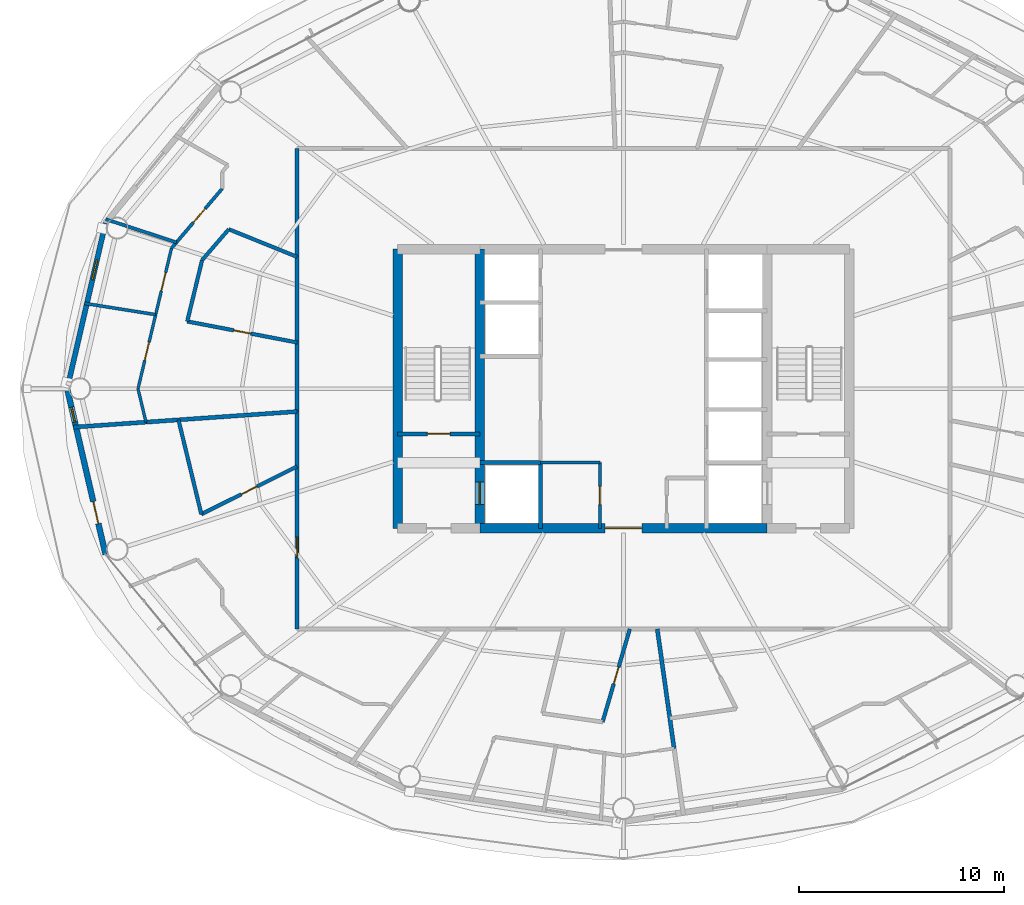
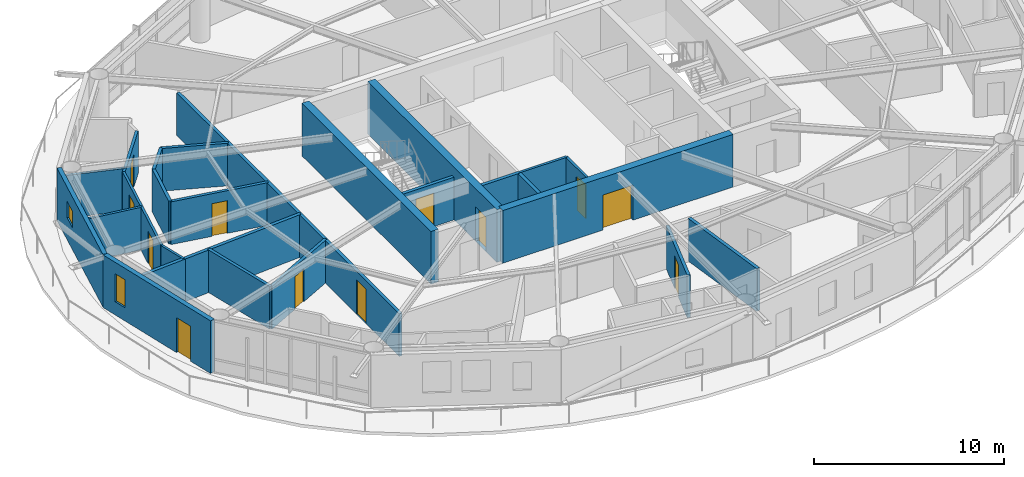
# One storey, part 21 of 30: 27 walls, 12 doors, 2 windows, 14 openings.
"""IFC4 building model written with IfcOpenShell, lengths in metres."""

from ifc_helpers import new_model, si_unit, direction, frame, frame_2d, origin, place, context, subcontext, project, spatial, rectangle, extrude, material, layer, layer_set, type_object, element, fill, save


model = new_model("IFC4")

# Units and contexts
model_context = context("Model", 3, precision=1e-05, world=origin(), true_north=direction((0.0, 1.0)))
body_context = subcontext(model_context, "Body", "Model", "MODEL_VIEW")
ifc_project = project(units=[si_unit("LENGTHUNIT", "METRE"), si_unit("AREAUNIT", "SQUARE_METRE"), si_unit("VOLUMEUNIT", "CUBIC_METRE"), si_unit("PLANEANGLEUNIT", "RADIAN"), si_unit("MASSUNIT", "GRAM", prefix="KILO")], contexts=[model_context])

# Site, building, storey
site_placement = place(None, origin())
site = spatial("IfcSite", under=ifc_project, at=site_placement, CompositionType="ELEMENT")
building_placement = place(site_placement, origin())
building = spatial("IfcBuilding", under=site, at=building_placement, Name="Sarneth Arch Tower", CompositionType="ELEMENT")
storey_placement = place(building_placement, frame((0.0, 0.0, 161.39990234375)))
storey = spatial("IfcBuildingStorey", under=building, at=storey_placement, Name="L40", CompositionType="ELEMENT", Elevation=161.39990234375)

# Wall, opening, door
ifc_material_1 = material(Name="Concrete C50/60", Category="concrete")
ifc_layer_1 = layer(ifc_material_1, 0.449951171875)
ifc_layer_set_1 = layer_set([ifc_layer_1], Name="Concrete C50/60")
wall_type_1 = type_object("IfcWallType", Name="WALL-CORE-450", PredefinedType="SHEAR", material=ifc_layer_set_1)
wall_1_placement = place(storey_placement, frame((41.0, 35.199951171875, 0.0), z_axis=(0.0, 0.0, 1.0), x_axis=(1.0, 0.0, 0.0)))
wall_1 = element("IfcWall", 1, at=wall_1_placement, inside=storey, type_object=wall_type_1, Name="L40 Core shear wall S-M", PredefinedType="SHEAR", context=body_context, shape_type="SweptSolid", body=[
    extrude(rectangle(XDim=14.0, YDim=0.449951171875, at=frame_2d((7.0, 0.0))), origin(), (0.0, 0.0, 1.0), 3.380126953125),
])
opening_1_placement = place(wall_1_placement, frame((6.10009765625, 0.0, 0.0)))
opening_1 = element("IfcOpeningElement", 2, at=opening_1_placement, cuts=wall_1, Name="Opening FD-01", PredefinedType="OPENING", context=body_context, shape_type="SweptSolid", body=[
    extrude(rectangle(XDim=1.800048828125, YDim=2.25, at=frame_2d((0.89990234375, 1.125))), frame((0.0, 0.23486328125, 0.0), z_axis=(0.0, -1.0, 0.0), x_axis=(1.0, 0.0, 0.0)), (0.0, 0.0, 1.0), 0.469970703125),
])
ifc_material_2 = material(Name="Galvanised Steel S275 fire door set", Category="steel")
door_type_1 = type_object("IfcDoorType", Name="DR-FD90-1800", OperationType="DOUBLE_DOOR_SINGLE_SWING", PredefinedType="DOOR", material=ifc_material_2)
door_1_placement = place(opening_1_placement, origin())
door_1 = element("IfcDoor", 3, at=door_1_placement, inside=storey, type_object=door_type_1, Name="L40 Central lift lobby south door", OperationType="DOUBLE_DOOR_SINGLE_SWING", OverallHeight=2.25, OverallWidth=1.800048828125, PredefinedType="DOOR", context=body_context, shape_type="SweptSolid", body=[
    extrude(rectangle(XDim=1.800048828125, YDim=2.25, at=frame_2d((0.89990234375, 1.125))), frame((0.0, 0.02490234375, 0.0), z_axis=(0.0, -1.0, 0.0), x_axis=(1.0, 0.0, 0.0)), (0.0, 0.0, 1.0), 0.050048828125),
])
fill(opening_1, door_1)

# Wall
wall_2_placement = place(storey_placement, frame((37.0, 35.199951171875, 0.0), z_axis=(0.0, 0.0, 1.0), x_axis=(0.0, 1.0, 0.0)))
element("IfcWall", 4, at=wall_2_placement, inside=storey, type_object=wall_type_1, Name="L40 Core shear wall W", PredefinedType="SHEAR", context=body_context, shape_type="SweptSolid", body=[
    extrude(rectangle(XDim=13.60009765625, YDim=0.449951171875, at=frame_2d((6.800048828125, 0.0))), origin(), (0.0, 0.0, 1.0), 3.380126953125),
])

# Wall, opening, door
wall_3_placement = place(storey_placement, frame((41.0, 35.199951171875, 0.0), z_axis=(0.0, 0.0, 1.0), x_axis=(0.0, 1.0, 0.0)))
wall_3 = element("IfcWall", 5, at=wall_3_placement, inside=storey, type_object=wall_type_1, Name="L40 Core shear wall WEB-W", PredefinedType="SHEAR", context=body_context, shape_type="SweptSolid", body=[
    extrude(rectangle(XDim=13.60009765625, YDim=0.449951171875, at=frame_2d((6.800048828125, 0.0))), origin(), (0.0, 0.0, 1.0), 3.380126953125),
])
opening_2_placement = place(wall_3_placement, frame((1.14990234375, 0.0, 0.0)))
opening_2 = element("IfcOpeningElement", 6, at=opening_2_placement, cuts=wall_3, Name="Opening LD-1", PredefinedType="OPENING", context=body_context, shape_type="SweptSolid", body=[
    extrude(rectangle(XDim=1.10009765625, YDim=2.199951171875, at=frame_2d((0.550048828125, 1.10009765625))), frame((0.0, 0.23486328125, 0.0), z_axis=(0.0, -1.0, 0.0), x_axis=(1.0, 0.0, 0.0)), (0.0, 0.0, 1.0), 0.469970703125),
])
ifc_material_3 = material(Name="Brushed Stainless Steel 304 lift landing door", Category="steel")
door_type_2 = type_object("IfcDoorType", Name="DR-LIFT-SLIDE-1100", OperationType="SLIDING_TO_LEFT", PredefinedType="DOOR", material=ifc_material_3)
door_2_placement = place(opening_2_placement, origin())
door_2 = element("IfcDoor", 7, at=door_2_placement, inside=storey, type_object=door_type_2, Name="L40 Firefighting lift landing door FL-1", OperationType="SLIDING_TO_LEFT", OverallHeight=2.199951171875, OverallWidth=1.10009765625, PredefinedType="DOOR", context=body_context, shape_type="SweptSolid", body=[
    extrude(rectangle(XDim=1.10009765625, YDim=2.199951171875, at=frame_2d((0.550048828125, 1.10009765625))), frame((0.0, 0.02490234375, 0.0), z_axis=(0.0, -1.0, 0.0), x_axis=(1.0, 0.0, 0.0)), (0.0, 0.0, 1.0), 0.050048828125),
])
fill(opening_2, door_2)

ifc_material_4 = material(Name="Double steel-stud corridor fire wall", Category="steel")
ifc_layer_2 = layer(ifc_material_4, 0.18994140625)
ifc_layer_set_2 = layer_set([ifc_layer_2], Name="Double steel-stud corridor fire wall")
wall_type_2 = type_object("IfcWallType", Name="WALL-CORR-190", PredefinedType="PARTITIONING", material=ifc_layer_set_2)
wall_4_placement = place(storey_placement, frame((32.10009765625, 30.300048828125, 0.0), z_axis=(0.0, 0.0, 1.0), x_axis=(0.0, 1.0, 0.0)))
wall_4 = element("IfcWall", 8, at=wall_4_placement, inside=storey, type_object=wall_type_2, Name="L40 Interior partition W-L40-TP-012", PredefinedType="PARTITIONING", context=body_context, shape_type="SweptSolid", body=[
    extrude(rectangle(XDim=10.620361328125, YDim=0.18994140625, at=frame_2d((5.31005859375, 0.0))), origin(), (0.0, 0.0, 1.0), 2.739990234375),
])
opening_3_placement = place(wall_4_placement, frame((3.474853515625, 0.0, 0.0)))
opening_3 = element("IfcOpeningElement", 9, at=opening_3_placement, cuts=wall_4, Name="Opening FD-08", PredefinedType="OPENING", context=body_context, shape_type="SweptSolid", body=[
    extrude(rectangle(XDim=1.0, YDim=2.199951171875, at=frame_2d((0.5, 1.10009765625))), frame((0.0, 0.10498046875, 0.0), z_axis=(0.0, -1.0, 0.0), x_axis=(1.0, 0.0, 0.0)), (0.0, 0.0, 1.0), 0.2099609375),
])
ifc_material_5 = material(Name="Hardwood timber acoustic fire door", Category="wood")
door_type_3 = type_object("IfcDoorType", Name="DR-FD60-1000", OperationType="SINGLE_SWING_LEFT", PredefinedType="DOOR", material=ifc_material_5)
door_3_placement = place(opening_3_placement, origin())
door_3 = element("IfcDoor", 10, at=door_3_placement, inside=storey, type_object=door_type_3, Name="L40 Interior door DR-L40-U5-ENT", OperationType="SINGLE_SWING_LEFT", OverallHeight=2.199951171875, OverallWidth=1.0, PredefinedType="DOOR", context=body_context, shape_type="SweptSolid", body=[
    extrude(rectangle(XDim=1.0, YDim=2.199951171875, at=frame_2d((0.5, 1.10009765625))), frame((0.0, 0.02490234375, 0.0), z_axis=(0.0, -1.0, 0.0), x_axis=(1.0, 0.0, 0.0)), (0.0, 0.0, 1.0), 0.050048828125),
])
fill(opening_3, door_3)

# Wall
wall_5_placement = place(storey_placement, frame((32.10009765625, 40.856201171875, 0.0), z_axis=(0.0, 0.0, 1.0), x_axis=(0.0, 1.0, 0.0)))
element("IfcWall", 11, at=wall_5_placement, inside=storey, type_object=wall_type_2, Name="L40 Interior partition W-L40-TP-008", PredefinedType="PARTITIONING", context=body_context, shape_type="SweptSolid", body=[
    extrude(rectangle(XDim=12.84375, YDim=0.18994140625, at=frame_2d((6.421875, 0.0))), origin(), (0.0, 0.0, 1.0), 2.739990234375),
])

# Wall, opening, window
ifc_material_6 = material(Name="Extruded terracotta rainscreen on Concrete C40/50 backing", Category="masonry")
ifc_layer_3 = layer(ifc_material_6, 0.25)
ifc_layer_set_3 = layer_set([ifc_layer_3], Name="Extruded terracotta rainscreen on Concrete C40/50 backing")
wall_type_3 = type_object("IfcWallType", Name="WALL-EXT-SPAND-250", PredefinedType="SOLIDWALL", material=ifc_layer_set_3)
wall_6_placement = place(storey_placement, frame((22.767578125, 50.06689453125, 0.0), z_axis=(0.0, 0.0, 1.0), x_axis=(-0.225473184558, -0.974249374157, 0.0)))
wall_6 = element("IfcWall", 12, at=wall_6_placement, inside=storey, type_object=wall_type_3, Name="L40 Terracotta perimeter wall 08", PredefinedType="SOLIDWALL", context=body_context, shape_type="SweptSolid", body=[
    extrude(rectangle(XDim=8.280029296875, YDim=0.25, at=frame_2d((4.14013671875, 0.0))), origin(), (0.0, 0.0, 1.0), 3.380126953125),
])
opening_4_placement = place(wall_6_placement, frame((1.844482421875, 0.0, 1.419921875)))
opening_4 = element("IfcOpeningElement", 13, at=opening_4_placement, cuts=wall_6, Name="Opening W-14", PredefinedType="OPENING", context=body_context, shape_type="SweptSolid", body=[
    extrude(rectangle(XDim=1.0, YDim=1.050048828125, at=frame_2d((0.5, 0.52490234375))), frame((0.0, 0.135009765625, 0.0), z_axis=(0.0, -1.0, 0.0), x_axis=(1.0, 0.0, 0.0)), (0.0, 0.0, 1.0), 0.27001953125),
])
ifc_material_7 = material(Name="Thermally broken Aluminium 6063-T6 and low-e laminated IGU", Category="aluminium")
window_type_1 = type_object("IfcWindowType", Name="WIN-TWR-1000x1050", PartitioningType="SINGLE_PANEL", PredefinedType="WINDOW", material=ifc_material_7)
window_1_placement = place(opening_4_placement, origin())
window_1 = element("IfcWindow", 14, at=window_1_placement, inside=storey, type_object=window_type_1, Name="L40 Dwelling bedroom window 03", OverallHeight=1.050048828125, OverallWidth=1.0, PartitioningType="SINGLE_PANEL", PredefinedType="WINDOW", context=body_context, shape_type="SweptSolid", body=[
    extrude(rectangle(XDim=1.0, YDim=1.050048828125, at=frame_2d((0.5, 0.52490234375))), frame((0.0, 0.030029296875, 0.0), z_axis=(0.0, -1.0, 0.0), x_axis=(1.0, 0.0, 0.0)), (0.0, 0.0, 1.0), 0.06005859375),
])
fill(opening_4, window_1)

# Wall, openings, door, window
ifc_material_8 = material(Name="Extruded terracotta rainscreen on Concrete C40/50 backing", Category="masonry")
ifc_layer_4 = layer(ifc_material_8, 0.280029296875)
ifc_layer_set_4 = layer_set([ifc_layer_4], Name="Extruded terracotta rainscreen on Concrete C40/50 backing")
wall_type_4 = type_object("IfcWallType", Name="WALL-EXT-TERRA-280", PredefinedType="SOLIDWALL", material=ifc_layer_set_4)
wall_7_placement = place(storey_placement, frame((20.900634765625, 42.0, 0.0), z_axis=(0.0, 0.0, 1.0), x_axis=(0.225473184558, -0.974249374157, 0.0)))
wall_7 = element("IfcWall", 15, at=wall_7_placement, inside=storey, type_object=wall_type_4, Name="L40 Terracotta perimeter wall 09", PredefinedType="SOLIDWALL", context=body_context, shape_type="SweptSolid", body=[
    extrude(rectangle(XDim=8.280029296875, YDim=0.280029296875, at=frame_2d((4.14013671875, 0.0))), origin(), (0.0, 0.0, 1.0), 3.380126953125),
])
opening_5_placement = place(wall_7_placement, frame((5.643798828125, 0.0, 0.0)))
opening_5 = element("IfcOpeningElement", 16, at=opening_5_placement, cuts=wall_7, Name="Opening BD-3", PredefinedType="OPENING", context=body_context, shape_type="SweptSolid", body=[
    extrude(rectangle(XDim=1.10009765625, YDim=2.25, at=frame_2d((0.550048828125, 1.125))), frame((0.0, 0.14990234375, 0.0), z_axis=(0.0, -1.0, 0.0), x_axis=(1.0, 0.0, 0.0)), (0.0, 0.0, 1.0), 0.300048828125),
])
opening_6_placement = place(wall_7_placement, frame((0.918212890625, 0.0, 0.85009765625)))
opening_6 = element("IfcOpeningElement", 17, at=opening_6_placement, cuts=wall_7, Name="Opening W-13", PredefinedType="OPENING", context=body_context, shape_type="SweptSolid", body=[
    extrude(rectangle(XDim=0.75, YDim=1.800048828125, at=frame_2d((0.375, 0.89990234375))), frame((0.0, 0.14990234375, 0.0), z_axis=(0.0, -1.0, 0.0), x_axis=(1.0, 0.0, 0.0)), (0.0, 0.0, 1.0), 0.300048828125),
])
ifc_material_9 = material(Name="Thermally broken Aluminium 6063-T6 and laminated safety glass", Category="aluminium")
door_type_4 = type_object("IfcDoorType", Name="DR-BALC-GLZ-1100", OperationType="SINGLE_SWING_LEFT", PredefinedType="DOOR", material=ifc_material_9)
door_4_placement = place(opening_5_placement, origin())
door_4 = element("IfcDoor", 18, at=door_4_placement, inside=storey, type_object=door_type_4, Name="L40 Balcony glazed door 09", OperationType="SINGLE_SWING_LEFT", OverallHeight=2.25, OverallWidth=1.10009765625, PredefinedType="DOOR", context=body_context, shape_type="SweptSolid", body=[
    extrude(rectangle(XDim=1.10009765625, YDim=2.25, at=frame_2d((0.550048828125, 1.125))), frame((0.0, 0.02490234375, 0.0), z_axis=(0.0, -1.0, 0.0), x_axis=(1.0, 0.0, 0.0)), (0.0, 0.0, 1.0), 0.050048828125),
])
fill(opening_5, door_4)
ifc_material_10 = material(Name="Thermally broken Aluminium 6063-T6 and low-e laminated IGU", Category="aluminium")
window_type_2 = type_object("IfcWindowType", Name="WIN-TWR-750x1800", PartitioningType="SINGLE_PANEL", PredefinedType="WINDOW", material=ifc_material_10)
window_2_placement = place(opening_6_placement, origin())
window_2 = element("IfcWindow", 19, at=window_2_placement, inside=storey, type_object=window_type_2, Name="L40 Dwelling bedroom window 04", OverallHeight=1.800048828125, OverallWidth=0.75, PartitioningType="SINGLE_PANEL", PredefinedType="WINDOW", context=body_context, shape_type="SweptSolid", body=[
    extrude(rectangle(XDim=0.75, YDim=1.800048828125, at=frame_2d((0.375, 0.89990234375))), frame((0.0, 0.030029296875, 0.0), z_axis=(0.0, -1.0, 0.0), x_axis=(1.0, 0.0, 0.0)), (0.0, 0.0, 1.0), 0.06005859375),
])
fill(opening_6, window_2)

# Wall, openings, doors
ifc_material_11 = material(Name="Apartment internal stud partition", Category="gypsum")
ifc_layer_5 = layer(ifc_material_11, 0.139892578125)
ifc_layer_set_5 = layer_set([ifc_layer_5], Name="Apartment internal stud partition")
wall_type_5 = type_object("IfcWallType", Name="WALL-PART-140", PredefinedType="PARTITIONING", material=ifc_layer_set_5)
wall_8_placement = place(storey_placement, frame((24.351318359375, 42.0, 0.0), z_axis=(0.0, 0.0, 1.0), x_axis=(0.231625219966, 0.972805097373, 0.0)))
wall_8 = element("IfcWall", 20, at=wall_8_placement, inside=storey, type_object=wall_type_5, Name="L40 Interior partition W-L40-TP-064", PredefinedType="PARTITIONING", context=body_context, shape_type="SweptSolid", body=[
    extrude(rectangle(XDim=7.033447265625, YDim=0.139892578125, at=frame_2d((3.5166015625, 0.0))), origin(), (0.0, 0.0, 1.0), 2.739990234375),
])
opening_7_placement = place(wall_8_placement, frame((1.421142578125, 0.0, 0.0)))
opening_7 = element("IfcOpeningElement", 21, at=opening_7_placement, cuts=wall_8, Name="Opening ID-01", PredefinedType="OPENING", context=body_context, shape_type="SweptSolid", body=[
    extrude(rectangle(XDim=0.89990234375, YDim=2.10009765625, at=frame_2d((0.449951171875, 1.050048828125))), frame((0.0, 0.079833984375, 0.0), z_axis=(0.0, -1.0, 0.0), x_axis=(1.0, 0.0, 0.0)), (0.0, 0.0, 1.0), 0.159912109375),
])
opening_8_placement = place(wall_8_placement, frame((4.906005859375, 0.0, 0.0)))
opening_8 = element("IfcOpeningElement", 22, at=opening_8_placement, cuts=wall_8, Name="Opening ID-01", PredefinedType="OPENING", context=body_context, shape_type="SweptSolid", body=[
    extrude(rectangle(XDim=0.89990234375, YDim=2.10009765625, at=frame_2d((0.449951171875, 1.050048828125))), frame((0.0, 0.079833984375, 0.0), z_axis=(0.0, -1.0, 0.0), x_axis=(1.0, 0.0, 0.0)), (0.0, 0.0, 1.0), 0.159912109375),
])
ifc_material_12 = material(Name="Engineered hardwood flush door", Category="wood")
door_type_5 = type_object("IfcDoorType", Name="DR-INT-900", OperationType="SINGLE_SWING_LEFT", PredefinedType="DOOR", material=ifc_material_12)
door_5_placement = place(opening_7_placement, origin())
door_5 = element("IfcDoor", 23, at=door_5_placement, inside=storey, type_object=door_type_5, Name="L40 Interior door DR-L40-U4-BED2", OperationType="SINGLE_SWING_LEFT", OverallHeight=2.10009765625, OverallWidth=0.89990234375, PredefinedType="DOOR", context=body_context, shape_type="SweptSolid", body=[
    extrude(rectangle(XDim=0.89990234375, YDim=2.10009765625, at=frame_2d((0.449951171875, 1.050048828125))), frame((0.0, 0.02490234375, 0.0), z_axis=(0.0, -1.0, 0.0), x_axis=(1.0, 0.0, 0.0)), (0.0, 0.0, 1.0), 0.050048828125),
])
fill(opening_7, door_5)
door_6_placement = place(opening_8_placement, origin())
door_6 = element("IfcDoor", 24, at=door_6_placement, inside=storey, type_object=door_type_5, Name="L40 Interior door DR-L40-U4-BED1", OperationType="SINGLE_SWING_LEFT", OverallHeight=2.10009765625, OverallWidth=0.89990234375, PredefinedType="DOOR", context=body_context, shape_type="SweptSolid", body=[
    extrude(rectangle(XDim=0.89990234375, YDim=2.10009765625, at=frame_2d((0.449951171875, 1.050048828125))), frame((0.0, 0.02490234375, 0.0), z_axis=(0.0, -1.0, 0.0), x_axis=(1.0, 0.0, 0.0)), (0.0, 0.0, 1.0), 0.050048828125),
])
fill(opening_8, door_6)

# Walls
wall_9_placement = place(storey_placement, frame((24.738525390625, 40.373291015625, 0.0), z_axis=(0.0, 0.0, 1.0), x_axis=(-0.231561310927, 0.972820311919, 0.0)))
element("IfcWall", 25, at=wall_9_placement, inside=storey, type_object=wall_type_5, Name="L40 Interior partition W-L40-TP-063", PredefinedType="PARTITIONING", context=body_context, shape_type="SweptSolid", body=[
    extrude(rectangle(XDim=1.672119140625, YDim=0.139892578125, at=frame_2d((0.8359375, 0.0))), origin(), (0.0, 0.0, 1.0), 2.739990234375),
])
ifc_material_13 = material(Name="Acoustic gypsum stud partition", Category="gypsum")
ifc_layer_6 = layer(ifc_material_13, 0.14990234375)
ifc_layer_set_6 = layer_set([ifc_layer_6], Name="Acoustic gypsum stud partition")
wall_type_6 = type_object("IfcWallType", Name="WALL-PART-150", PredefinedType="PARTITIONING", material=ifc_layer_set_6)
wall_10_placement = place(storey_placement, frame((43.949951171875, 38.39990234375, 0.0), z_axis=(0.0, 0.0, 1.0), x_axis=(1.0, 0.0, 0.0)))
element("IfcWall", 26, at=wall_10_placement, inside=storey, type_object=wall_type_6, Name="L40 Interior partition W-L40-CSUP1-N", PredefinedType="PARTITIONING", context=body_context, shape_type="SweptSolid", body=[
    extrude(rectangle(XDim=2.900146484375, YDim=0.14990234375, at=frame_2d((1.4501953125, 0.0))), origin(), (0.0, 0.0, 1.0), 2.739990234375),
])

# Wall, opening, door
wall_11_placement = place(storey_placement, frame((46.85009765625, 35.199951171875, 0.0), z_axis=(0.0, 0.0, 1.0), x_axis=(0.0, 1.0, 0.0)))
wall_11 = element("IfcWall", 27, at=wall_11_placement, inside=storey, type_object=wall_type_6, Name="L40 Interior partition W-L40-CSUP1-E", PredefinedType="PARTITIONING", context=body_context, shape_type="SweptSolid", body=[
    extrude(rectangle(XDim=3.199951171875, YDim=0.14990234375, at=frame_2d((1.60009765625, 0.0))), origin(), (0.0, 0.0, 1.0), 2.739990234375),
])
opening_9_placement = place(wall_11_placement, frame((1.14990234375, 0.0, 0.0)))
opening_9 = element("IfcOpeningElement", 28, at=opening_9_placement, cuts=wall_11, Name="Opening FD-10", PredefinedType="OPENING", context=body_context, shape_type="SweptSolid", body=[
    extrude(rectangle(XDim=0.89990234375, YDim=2.14990234375, at=frame_2d((0.449951171875, 1.074951171875))), frame((0.0, 0.0849609375, 0.0), z_axis=(0.0, -1.0, 0.0), x_axis=(1.0, 0.0, 0.0)), (0.0, 0.0, 1.0), 0.169921875),
])
ifc_material_14 = material(Name="Galvanised Steel S275 riser/service fire door", Category="steel")
door_type_6 = type_object("IfcDoorType", Name="DR-FD60-900", OperationType="SINGLE_SWING_LEFT", PredefinedType="DOOR", material=ifc_material_14)
door_7_placement = place(opening_9_placement, origin())
door_7 = element("IfcDoor", 29, at=door_7_placement, inside=storey, type_object=door_type_6, Name="L40 Interior door DR-L40-CSUP1", OperationType="SINGLE_SWING_LEFT", OverallHeight=2.14990234375, OverallWidth=0.89990234375, PredefinedType="DOOR", context=body_context, shape_type="SweptSolid", body=[
    extrude(rectangle(XDim=0.89990234375, YDim=2.14990234375, at=frame_2d((0.449951171875, 1.074951171875))), frame((0.0, 0.02490234375, 0.0), z_axis=(0.0, -1.0, 0.0), x_axis=(1.0, 0.0, 0.0)), (0.0, 0.0, 1.0), 0.050048828125),
])
fill(opening_9, door_7)

# Walls
wall_12_placement = place(storey_placement, frame((25.210693359375, 45.609619140625, 0.0), z_axis=(0.0, 0.0, 1.0), x_axis=(-0.987691308322, 0.156415726399, 0.0)))
element("IfcWall", 30, at=wall_12_placement, inside=storey, type_object=wall_type_6, Name="L40 Interior partition W-L40-TP-068", PredefinedType="PARTITIONING", context=body_context, shape_type="SweptSolid", body=[
    extrude(rectangle(XDim=3.513427734375, YDim=0.14990234375, at=frame_2d((1.7568359375, 0.0))), origin(), (0.0, 0.0, 1.0), 2.739990234375),
])
ifc_material_15 = material(Name="Kitchen wet service chase wall", Category="gypsum")
ifc_layer_7 = layer(ifc_material_15, 0.159912109375)
ifc_layer_set_7 = layer_set([ifc_layer_7], Name="Kitchen wet service chase wall")
wall_type_7 = type_object("IfcWallType", Name="WALL-PLUMB-160", PredefinedType="PLUMBINGWALL", material=ifc_layer_set_7)
wall_13_placement = place(storey_placement, frame((22.77978515625, 50.256591796875, 0.0), z_axis=(0.0, 0.0, 1.0), x_axis=(0.95036707557, -0.311130875474, 0.0)))
element("IfcWall", 31, at=wall_13_placement, inside=storey, type_object=wall_type_7, Name="L40 Interior partition W-L40-TP-067", PredefinedType="PLUMBINGWALL", context=body_context, shape_type="SweptSolid", body=[
    extrude(rectangle(XDim=3.62451171875, YDim=0.159912109375, at=frame_2d((1.812255859375, 0.0))), origin(), (0.0, 0.0, 1.0), 2.739990234375),
])

# Wall, opening, door
wall_14_placement = place(storey_placement, frame((28.449951171875, 51.744384765625, 0.0), z_axis=(0.0, 0.0, 1.0), x_axis=(-0.648022171798, -0.761621470849, 0.0)))
wall_14 = element("IfcWall", 32, at=wall_14_placement, inside=storey, type_object=wall_type_7, Name="L40 Interior partition W-L40-TP-056", PredefinedType="PLUMBINGWALL", context=body_context, shape_type="SweptSolid", body=[
    extrude(rectangle(XDim=3.810302734375, YDim=0.159912109375, at=frame_2d((1.9052734375, 0.0))), origin(), (0.0, 0.0, 1.0), 2.739990234375),
])
opening_10_placement = place(wall_14_placement, frame((1.26708984375, 0.0, 0.0)))
opening_10 = element("IfcOpeningElement", 33, at=opening_10_placement, cuts=wall_14, Name="Opening ID-01", PredefinedType="OPENING", context=body_context, shape_type="SweptSolid", body=[
    extrude(rectangle(XDim=0.89990234375, YDim=2.10009765625, at=frame_2d((0.449951171875, 1.050048828125))), frame((0.0, 0.08984375, 0.0), z_axis=(0.0, -1.0, 0.0), x_axis=(1.0, 0.0, 0.0)), (0.0, 0.0, 1.0), 0.179931640625),
])
door_8_placement = place(opening_10_placement, origin())
door_8 = element("IfcDoor", 34, at=door_8_placement, inside=storey, type_object=door_type_5, Name="L40 Interior door DR-L40-U4-KIT", OperationType="SINGLE_SWING_LEFT", OverallHeight=2.10009765625, OverallWidth=0.89990234375, PredefinedType="DOOR", context=body_context, shape_type="SweptSolid", body=[
    extrude(rectangle(XDim=0.89990234375, YDim=2.10009765625, at=frame_2d((0.449951171875, 1.050048828125))), frame((0.0, 0.02490234375, 0.0), z_axis=(0.0, -1.0, 0.0), x_axis=(1.0, 0.0, 0.0)), (0.0, 0.0, 1.0), 0.050048828125),
])
fill(opening_10, door_8)

ifc_material_16 = material(Name="Moisture-resistant plumbing chase wall", Category="gypsum")
ifc_layer_8 = layer(ifc_material_16, 0.179931640625)
ifc_layer_set_8 = layer_set([ifc_layer_8], Name="Moisture-resistant plumbing chase wall")
wall_type_8 = type_object("IfcWallType", Name="WALL-PLUMB-180", PredefinedType="PLUMBINGWALL", material=ifc_layer_set_8)
wall_15_placement = place(storey_placement, frame((32.10009765625, 44.253173828125, 0.0), z_axis=(0.0, 0.0, 1.0), x_axis=(-0.982102846986, 0.188345421878, 0.0)))
wall_15 = element("IfcWall", 35, at=wall_15_placement, inside=storey, type_object=wall_type_8, Name="L40 Interior partition W-L40-TP-057", PredefinedType="PLUMBINGWALL", context=body_context, shape_type="SweptSolid", body=[
    extrude(rectangle(XDim=5.447998046875, YDim=0.179931640625, at=frame_2d((2.72412109375, 0.0))), origin(), (0.0, 0.0, 1.0), 2.739990234375),
])
opening_11_placement = place(wall_15_placement, frame((2.299072265625, 0.0, 0.0)))
opening_11 = element("IfcOpeningElement", 36, at=opening_11_placement, cuts=wall_15, Name="Opening ID-02", PredefinedType="OPENING", context=body_context, shape_type="SweptSolid", body=[
    extrude(rectangle(XDim=0.85009765625, YDim=2.10009765625, at=frame_2d((0.425048828125, 1.050048828125))), frame((0.0, 0.099853515625, 0.0), z_axis=(0.0, -1.0, 0.0), x_axis=(1.0, 0.0, 0.0)), (0.0, 0.0, 1.0), 0.199951171875),
])
ifc_material_17 = material(Name="Moisture-resistant bathroom timber door", Category="wood")
door_type_7 = type_object("IfcDoorType", Name="DR-INT-850", OperationType="SINGLE_SWING_RIGHT", PredefinedType="DOOR", material=ifc_material_17)
door_9_placement = place(opening_11_placement, origin())
door_9 = element("IfcDoor", 37, at=door_9_placement, inside=storey, type_object=door_type_7, Name="L40 Interior door DR-L40-U4-BATH", OperationType="SINGLE_SWING_LEFT", OverallHeight=2.10009765625, OverallWidth=0.85009765625, PredefinedType="DOOR", context=body_context, shape_type="SweptSolid", body=[
    extrude(rectangle(XDim=0.85009765625, YDim=2.10009765625, at=frame_2d((0.425048828125, 1.050048828125))), frame((0.0, 0.02490234375, 0.0), z_axis=(0.0, -1.0, 0.0), x_axis=(1.0, 0.0, 0.0)), (0.0, 0.0, 1.0), 0.050048828125),
])
fill(opening_11, door_9)

wall_16_placement = place(storey_placement, frame((27.43603515625, 35.887451171875, 0.0), z_axis=(0.0, 0.0, 1.0), x_axis=(0.894857716432, 0.446351506485, 0.0)))
wall_16 = element("IfcWall", 38, at=wall_16_placement, inside=storey, type_object=wall_type_8, Name="L40 Interior partition W-L40-TP-075", PredefinedType="PLUMBINGWALL", context=body_context, shape_type="SweptSolid", body=[
    extrude(rectangle(XDim=5.212158203125, YDim=0.179931640625, at=frame_2d((2.60595703125, 0.0))), origin(), (0.0, 0.0, 1.0), 2.739990234375),
])
opening_12_placement = place(wall_16_placement, frame((2.180908203125, 0.0, 0.0)))
opening_12 = element("IfcOpeningElement", 39, at=opening_12_placement, cuts=wall_16, Name="Opening ID-02", PredefinedType="OPENING", context=body_context, shape_type="SweptSolid", body=[
    extrude(rectangle(XDim=0.85009765625, YDim=2.10009765625, at=frame_2d((0.425048828125, 1.050048828125))), frame((0.0, 0.099853515625, 0.0), z_axis=(0.0, -1.0, 0.0), x_axis=(1.0, 0.0, 0.0)), (0.0, 0.0, 1.0), 0.199951171875),
])
door_10_placement = place(opening_12_placement, origin())
door_10 = element("IfcDoor", 40, at=door_10_placement, inside=storey, type_object=door_type_7, Name="L40 Interior door DR-L40-U5-BATH", OperationType="SINGLE_SWING_RIGHT", OverallHeight=2.10009765625, OverallWidth=0.85009765625, PredefinedType="DOOR", context=body_context, shape_type="SweptSolid", body=[
    extrude(rectangle(XDim=0.85009765625, YDim=2.10009765625, at=frame_2d((0.425048828125, 1.050048828125))), frame((0.0, 0.02490234375, 0.0), z_axis=(0.0, -1.0, 0.0), x_axis=(1.0, 0.0, 0.0)), (0.0, 0.0, 1.0), 0.050048828125),
])
fill(opening_12, door_10)

# Wall
wall_17_placement = place(storey_placement, frame((26.322265625, 40.484130859375, 0.0), z_axis=(0.0, 0.0, 1.0), x_axis=(0.235484788327, -0.971878034769, 0.0)))
element("IfcWall", 41, at=wall_17_placement, inside=storey, type_object=wall_type_8, Name="L40 Interior partition W-L40-TP-074", PredefinedType="PLUMBINGWALL", context=body_context, shape_type="SweptSolid", body=[
    extrude(rectangle(XDim=4.729736328125, YDim=0.179931640625, at=frame_2d((2.36474609375, 0.0))), origin(), (0.0, 0.0, 1.0), 2.739990234375),
])

# Wall, opening, door
wall_18_placement = place(storey_placement, frame((48.307861328125, 30.300048828125, 0.0), z_axis=(0.0, 0.0, 1.0), x_axis=(-0.281192482413, -0.9596513887, 0.0)))
wall_18 = element("IfcWall", 42, at=wall_18_placement, inside=storey, type_object=wall_type_8, Name="L40 Interior partition W-L40-TP-087", PredefinedType="PLUMBINGWALL", context=body_context, shape_type="SweptSolid", body=[
    extrude(rectangle(XDim=4.72412109375, YDim=0.179931640625, at=frame_2d((2.362060546875, 0.0))), origin(), (0.0, 0.0, 1.0), 2.739990234375),
])
opening_13_placement = place(wall_18_placement, frame((1.93701171875, 0.0, 0.0)))
opening_13 = element("IfcOpeningElement", 43, at=opening_13_placement, cuts=wall_18, Name="Opening ID-02", PredefinedType="OPENING", context=body_context, shape_type="SweptSolid", body=[
    extrude(rectangle(XDim=0.85009765625, YDim=2.10009765625, at=frame_2d((0.425048828125, 1.050048828125))), frame((0.0, 0.099853515625, 0.0), z_axis=(0.0, -1.0, 0.0), x_axis=(1.0, 0.0, 0.0)), (0.0, 0.0, 1.0), 0.199951171875),
])
door_11_placement = place(opening_13_placement, origin())
door_11 = element("IfcDoor", 44, at=door_11_placement, inside=storey, type_object=door_type_7, Name="L40 Interior door DR-L40-U6-BATH", OperationType="SINGLE_SWING_LEFT", OverallHeight=2.10009765625, OverallWidth=0.85009765625, PredefinedType="DOOR", context=body_context, shape_type="SweptSolid", body=[
    extrude(rectangle(XDim=0.85009765625, YDim=2.10009765625, at=frame_2d((0.425048828125, 1.050048828125))), frame((0.0, 0.02490234375, 0.0), z_axis=(0.0, -1.0, 0.0), x_axis=(1.0, 0.0, 0.0)), (0.0, 0.0, 1.0), 0.050048828125),
])
fill(opening_13, door_11)

# Walls
wall_19_placement = place(storey_placement, frame((28.772705078125, 49.768310546875, 0.0), z_axis=(0.0, 0.0, 1.0), x_axis=(0.927195040954, -0.374578904945, 0.0)))
element("IfcWall", 45, at=wall_19_placement, inside=storey, type_object=wall_type_8, Name="L40 Interior partition W-L40-TP-060", PredefinedType="PLUMBINGWALL", context=body_context, shape_type="SweptSolid", body=[
    extrude(rectangle(XDim=3.588623046875, YDim=0.179931640625, at=frame_2d((1.79443359375, 0.0))), origin(), (0.0, 0.0, 1.0), 2.739990234375),
])
wall_20_placement = place(storey_placement, frame((26.74951171875, 45.279296875, 0.0), z_axis=(0.0, 0.0, 1.0), x_axis=(0.235525049635, 0.971868278624, 0.0)))
element("IfcWall", 46, at=wall_20_placement, inside=storey, type_object=wall_type_8, Name="L40 Interior partition W-L40-TP-058", PredefinedType="PLUMBINGWALL", context=body_context, shape_type="SweptSolid", body=[
    extrude(rectangle(XDim=3.075439453125, YDim=0.179931640625, at=frame_2d((1.53759765625, 0.0))), origin(), (0.0, 0.0, 1.0), 2.739990234375),
])
wall_21_placement = place(storey_placement, frame((27.473876953125, 48.268310546875, 0.0), z_axis=(0.0, 0.0, 1.0), x_axis=(0.654593195673, 0.755981314702, 0.0)))
element("IfcWall", 47, at=wall_21_placement, inside=storey, type_object=wall_type_8, Name="L40 Interior partition W-L40-TP-059", PredefinedType="PLUMBINGWALL", context=body_context, shape_type="SweptSolid", body=[
    extrude(rectangle(XDim=1.984130859375, YDim=0.179931640625, at=frame_2d((0.9921875, 0.0))), origin(), (0.0, 0.0, 1.0), 2.739990234375),
])

# Wall, opening, door
ifc_material_18 = material(Name="Aerated concrete blockwork C25/30", Category="masonry")
ifc_layer_9 = layer(ifc_material_18, 0.199951171875)
ifc_layer_set_9 = layer_set([ifc_layer_9], Name="Aerated concrete blockwork C25/30")
wall_type_9 = type_object("IfcWallType", Name="WALL-SHAFT-200", PredefinedType="SOLIDWALL", material=ifc_layer_set_9)
wall_22_placement = place(storey_placement, frame((37.0, 39.800048828125, 0.0), z_axis=(0.0, 0.0, 1.0), x_axis=(1.0, 0.0, 0.0)))
wall_22 = element("IfcWall", 48, at=wall_22_placement, inside=storey, type_object=wall_type_9, Name="L40 Interior partition W-L40-ST1-S", PredefinedType="SOLIDWALL", context=body_context, shape_type="SweptSolid", body=[
    extrude(rectangle(XDim=4.0, YDim=0.199951171875, at=frame_2d((2.0, 0.0))), origin(), (0.0, 0.0, 1.0), 2.739990234375),
])
opening_14_placement = place(wall_22_placement, frame((1.449951171875, 0.0, 0.0)))
opening_14 = element("IfcOpeningElement", 49, at=opening_14_placement, cuts=wall_22, Name="Opening FD-03", PredefinedType="OPENING", context=body_context, shape_type="SweptSolid", body=[
    extrude(rectangle(XDim=1.10009765625, YDim=2.14990234375, at=frame_2d((0.550048828125, 1.074951171875))), frame((0.0, 0.10986328125, 0.0), z_axis=(0.0, -1.0, 0.0), x_axis=(1.0, 0.0, 0.0)), (0.0, 0.0, 1.0), 0.219970703125),
])
ifc_material_19 = material(Name="Galvanised Steel S275 fire door set", Category="steel")
door_type_8 = type_object("IfcDoorType", Name="DR-FD90-1100", OperationType="SINGLE_SWING_LEFT", PredefinedType="DOOR", material=ifc_material_19)
door_12_placement = place(opening_14_placement, origin())
door_12 = element("IfcDoor", 50, at=door_12_placement, inside=storey, type_object=door_type_8, Name="L40 Interior door DR-L40-ST1", OperationType="SINGLE_SWING_LEFT", OverallHeight=2.14990234375, OverallWidth=1.10009765625, PredefinedType="DOOR", context=body_context, shape_type="SweptSolid", body=[
    extrude(rectangle(XDim=1.10009765625, YDim=2.14990234375, at=frame_2d((0.550048828125, 1.074951171875))), frame((0.0, 0.02490234375, 0.0), z_axis=(0.0, -1.0, 0.0), x_axis=(1.0, 0.0, 0.0)), (0.0, 0.0, 1.0), 0.050048828125),
])
fill(opening_14, door_12)

# Walls
wall_23_placement = place(storey_placement, frame((43.949951171875, 35.199951171875, 0.0), z_axis=(0.0, 0.0, 1.0), x_axis=(0.0, 1.0, 0.0)))
element("IfcWall", 51, at=wall_23_placement, inside=storey, type_object=wall_type_9, Name="L40 Interior partition W-L40-FL1-E", PredefinedType="SOLIDWALL", context=body_context, shape_type="SweptSolid", body=[
    extrude(rectangle(XDim=3.199951171875, YDim=0.199951171875, at=frame_2d((1.60009765625, 0.0))), origin(), (0.0, 0.0, 1.0), 2.739990234375),
])
wall_24_placement = place(storey_placement, frame((41.0, 38.39990234375, 0.0), z_axis=(0.0, 0.0, 1.0), x_axis=(1.0, 0.0, 0.0)))
element("IfcWall", 52, at=wall_24_placement, inside=storey, type_object=wall_type_9, Name="L40 Interior partition W-L40-FL1-N", PredefinedType="SOLIDWALL", context=body_context, shape_type="SweptSolid", body=[
    extrude(rectangle(XDim=2.949951171875, YDim=0.199951171875, at=frame_2d((1.47509765625, 0.0))), origin(), (0.0, 0.0, 1.0), 2.739990234375),
])
ifc_material_20 = material(Name="Double steel-stud acoustic drywall", Category="steel")
ifc_layer_10 = layer(ifc_material_20, 0.199951171875)
ifc_layer_set_10 = layer_set([ifc_layer_10], Name="Double steel-stud acoustic drywall")
wall_type_10 = type_object("IfcWallType", Name="WALL-UNIT-200", PredefinedType="PARTITIONING", material=ifc_layer_set_10)
wall_25_placement = place(storey_placement, frame((32.10009765625, 40.88818359375, 0.0), z_axis=(0.0, 0.0, 1.0), x_axis=(-0.997562906323, -0.069772830877, 0.0)))
element("IfcWall", 53, at=wall_25_placement, inside=storey, type_object=wall_type_10, Name="L40 Interior partition W-L40-TP-066", PredefinedType="PARTITIONING", context=body_context, shape_type="SweptSolid", body=[
    extrude(rectangle(XDim=7.379638671875, YDim=0.199951171875, at=frame_2d((3.68994140625, 0.0))), origin(), (0.0, 0.0, 1.0), 2.739990234375),
])
wall_26_placement = place(storey_placement, frame((49.644287109375, 30.300048828125, 0.0), z_axis=(0.0, 0.0, 1.0), x_axis=(0.139158723068, -0.990270089316, 0.0)))
element("IfcWall", 54, at=wall_26_placement, inside=storey, type_object=wall_type_10, Name="L40 Interior partition W-L40-TP-094", PredefinedType="PARTITIONING", context=body_context, shape_type="SweptSolid", body=[
    extrude(rectangle(XDim=5.877197265625, YDim=0.199951171875, at=frame_2d((2.9384765625, 0.0))), origin(), (0.0, 0.0, 1.0), 2.739990234375),
])
wall_27_placement = place(storey_placement, frame((21.21240234375, 40.126708984375, 0.0), z_axis=(0.0, 0.0, 1.0), x_axis=(0.997565256009, 0.069739228586, 0.0)))
element("IfcWall", 55, at=wall_27_placement, inside=storey, type_object=wall_type_10, Name="L40 Interior partition W-L40-TP-069", PredefinedType="PARTITIONING", context=body_context, shape_type="SweptSolid", body=[
    extrude(rectangle(XDim=3.5673828125, YDim=0.199951171875, at=frame_2d((1.78369140625, 0.0))), origin(), (0.0, 0.0, 1.0), 2.739990234375),
])

save(model, "model.ifc")
